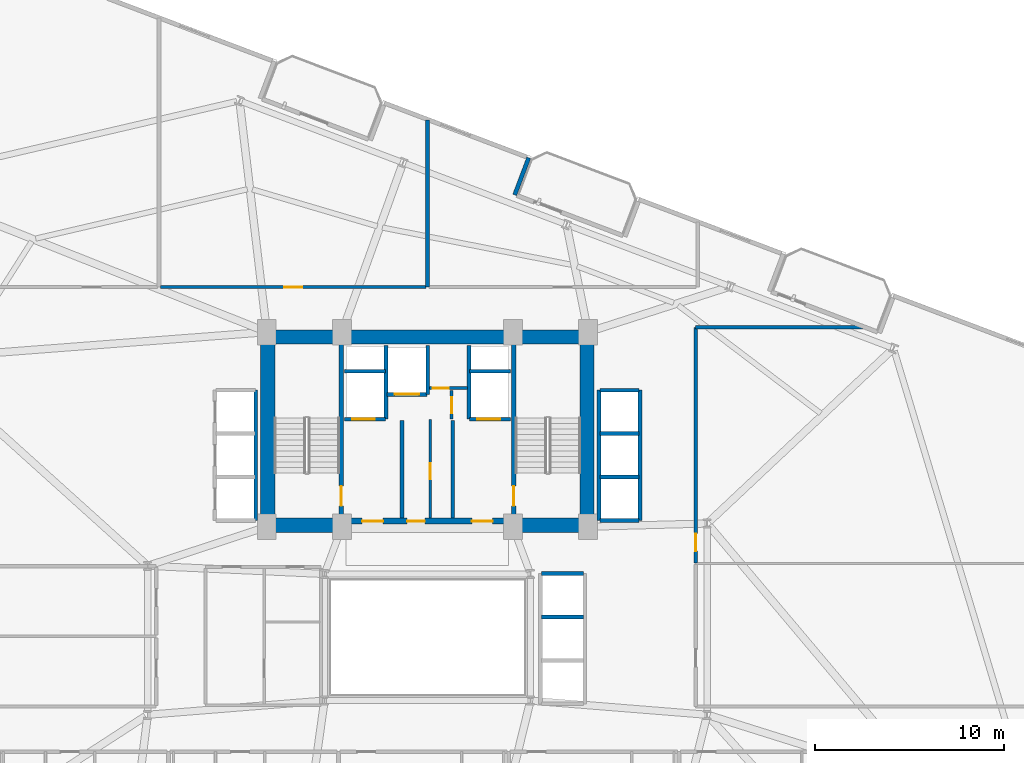
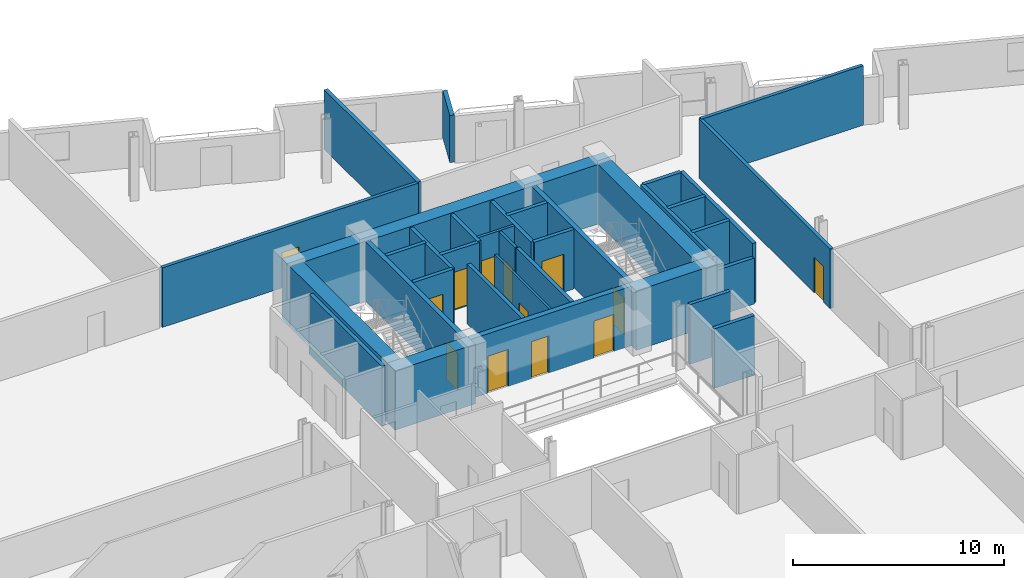
# One storey, part 20 of 25: 35 walls, 13 doors, 13 openings.
"""IFC4 building model written with IfcOpenShell, lengths in metres."""

from ifc_helpers import new_model, si_unit, direction, frame, frame_2d, origin, place, context, subcontext, project, spatial, rectangle, extrude, material, layer, layer_set, type_object, element, fill, save


model = new_model("IFC4")

# Units and contexts
model_context = context("Model", 3, precision=1e-05, world=origin(), true_north=direction((0.0, 1.0)))
body_context = subcontext(model_context, "Body", "Model", "MODEL_VIEW")
ifc_project = project(units=[si_unit("LENGTHUNIT", "METRE"), si_unit("AREAUNIT", "SQUARE_METRE"), si_unit("VOLUMEUNIT", "CUBIC_METRE"), si_unit("PLANEANGLEUNIT", "RADIAN"), si_unit("MASSUNIT", "GRAM", prefix="KILO")], contexts=[model_context])

# Site, building, storey
site_placement = place(None, origin())
site = spatial("IfcSite", under=ifc_project, at=site_placement, CompositionType="ELEMENT")
building_placement = place(site_placement, origin())
building = spatial("IfcBuilding", under=site, at=building_placement, Name="Varnelok Gate Tower", CompositionType="ELEMENT")
storey_placement = place(building_placement, frame((0.0, 0.0, 76.199951171875)))
storey = spatial("IfcBuildingStorey", under=building, at=storey_placement, Name="L18", CompositionType="ELEMENT", Elevation=76.199951171875)

# Wall
ifc_material_1 = material(Name="Concrete C45/55", Category="concrete")
ifc_layer_1 = layer(ifc_material_1, 0.219970703125)
ifc_layer_set_1 = layer_set([ifc_layer_1], Name="Concrete C45/55")
wall_type_1 = type_object("IfcWallType", Name="EW-BALC-220", PredefinedType="SOLIDWALL", material=ifc_layer_set_1)
wall_1_placement = place(storey_placement, frame((43.816650390625, 46.30615234375, 0.0), z_axis=(0.0, 0.0, 1.0), x_axis=(0.353988291547, 0.935249854022, 0.0)))
element("IfcWall", 1, at=wall_1_placement, inside=storey, type_object=wall_type_1, Name="L18 Perimeter Facade Closure Wall 34", PredefinedType="SOLIDWALL", context=body_context, shape_type="SweptSolid", body=[
    extrude(rectangle(XDim=2.10009765625, YDim=0.219970703125, at=frame_2d((1.050048828125, 0.0))), origin(), (0.0, 0.0, 1.0), 2.72998046875),
])

# Wall, opening, door
ifc_material_2 = material(Name="Gypsum Plasterboard Acoustic Partition", Category="gypsum")
ifc_layer_2 = layer(ifc_material_2, 0.179931640625)
ifc_layer_set_2 = layer_set([ifc_layer_2], Name="Gypsum Plasterboard Acoustic Partition")
wall_type_2 = type_object("IfcWallType", Name="PW-CORR-180", PredefinedType="PARTITIONING", material=ifc_layer_set_2)
wall_2_placement = place(storey_placement, frame((25.080078125, 41.429931640625, 0.0), z_axis=(0.0, 0.0, 1.0), x_axis=(1.0, 0.0, 0.0)))
wall_2 = element("IfcWall", 2, at=wall_2_placement, inside=storey, type_object=wall_type_2, Name="Interior Partition", PredefinedType="PARTITIONING", context=body_context, shape_type="SweptSolid", body=[
    extrude(rectangle(XDim=14.0400390625, YDim=0.179931640625, at=frame_2d((7.02001953125, 0.0))), origin(), (0.0, 0.0, 1.0), 3.449951171875),
])
opening_1_placement = place(wall_2_placement, frame((6.544921875, 0.0, 0.0)))
opening_1 = element("IfcOpeningElement", 3, at=opening_1_placement, cuts=wall_2, Name="Opening D-I2", PredefinedType="OPENING", context=body_context, shape_type="SweptSolid", body=[
    extrude(rectangle(XDim=0.949951171875, YDim=2.050048828125, at=frame_2d((0.47509765625, 1.02490234375))), frame((0.0, 0.099853515625, 0.0), z_axis=(0.0, -1.0, 0.0), x_axis=(1.0, 0.0, 0.0)), (0.0, 0.0, 1.0), 0.199951171875),
])
ifc_material_3 = material(Name="Engineered Hardwood Timber", Category="wood")
door_type_1 = type_object("IfcDoorType", Name="DR-INT-950", OperationType="NOTDEFINED", PredefinedType="DOOR", material=ifc_material_3)
door_1_placement = place(opening_1_placement, origin())
door_1 = element("IfcDoor", 4, at=door_1_placement, inside=storey, type_object=door_type_1, Name="L18 Hotel Fitness Studio Door", OperationType="SINGLE_SWING_LEFT", OverallHeight=2.050048828125, OverallWidth=0.949951171875, PredefinedType="DOOR", context=body_context, shape_type="SweptSolid", body=[
    extrude(rectangle(XDim=0.949951171875, YDim=2.050048828125, at=frame_2d((0.47509765625, 1.02490234375))), frame((0.0, 0.02490234375, 0.0), z_axis=(0.0, -1.0, 0.0), x_axis=(1.0, 0.0, 0.0)), (0.0, 0.0, 1.0), 0.050048828125),
])
fill(opening_1, door_1)

wall_3_placement = place(storey_placement, frame((53.389892578125, 26.840087890625, 0.0), z_axis=(0.0, 0.0, 1.0), x_axis=(0.0, 1.0, 0.0)))
wall_3 = element("IfcWall", 5, at=wall_3_placement, inside=storey, type_object=wall_type_2, Name="Interior Partition", PredefinedType="PARTITIONING", context=body_context, shape_type="SweptSolid", body=[
    extrude(rectangle(XDim=12.4599609375, YDim=0.179931640625, at=frame_2d((6.22998046875, 0.0))), origin(), (0.0, 0.0, 1.0), 3.449951171875),
])
opening_2_placement = place(wall_3_placement, frame((0.6181640625, 0.0, 0.0)))
opening_2 = element("IfcOpeningElement", 6, at=opening_2_placement, cuts=wall_3, Name="Opening D-I3", PredefinedType="OPENING", context=body_context, shape_type="SweptSolid", body=[
    extrude(rectangle(XDim=0.919921875, YDim=2.050048828125, at=frame_2d((0.4599609375, 1.02490234375))), frame((0.0, 0.099853515625, 0.0), z_axis=(0.0, -1.0, 0.0), x_axis=(1.0, 0.0, 0.0)), (0.0, 0.0, 1.0), 0.199951171875),
])
door_type_2 = type_object("IfcDoorType", Name="DR-INT-920", OperationType="NOTDEFINED", PredefinedType="DOOR", material=ifc_material_3)
door_2_placement = place(opening_2_placement, origin())
door_2 = element("IfcDoor", 7, at=door_2_placement, inside=storey, type_object=door_type_2, Name="L18 East Playroom Door", OperationType="SINGLE_SWING_LEFT", OverallHeight=2.050048828125, OverallWidth=0.919921875, PredefinedType="DOOR", context=body_context, shape_type="SweptSolid", body=[
    extrude(rectangle(XDim=0.919921875, YDim=2.050048828125, at=frame_2d((0.4599609375, 1.02490234375))), frame((0.0, 0.02490234375, 0.0), z_axis=(0.0, -1.0, 0.0), x_axis=(1.0, 0.0, 0.0)), (0.0, 0.0, 1.0), 0.050048828125),
])
fill(opening_2, door_2)

# Wall
wall_4_placement = place(storey_placement, frame((53.389892578125, 39.300048828125, 0.0), z_axis=(0.0, 0.0, 1.0), x_axis=(1.0, 0.0, 0.0)))
element("IfcWall", 8, at=wall_4_placement, inside=storey, type_object=wall_type_2, Name="Interior Partition", PredefinedType="PARTITIONING", context=body_context, shape_type="SweptSolid", body=[
    extrude(rectangle(XDim=8.87646484375, YDim=0.179931640625, at=frame_2d((4.438232421875, 0.0))), origin(), (0.0, 0.0, 1.0), 3.449951171875),
])

# Wall, opening, door
ifc_layer_3 = layer(ifc_material_2, 0.125)
ifc_layer_set_3 = layer_set([ifc_layer_3], Name="Gypsum Plasterboard Acoustic Partition")
wall_type_3 = type_object("IfcWallType", Name="PW-PART-125", PredefinedType="PARTITIONING", material=ifc_layer_set_3)
wall_5_placement = place(storey_placement, frame((39.35009765625, 29.199951171875, 0.0), z_axis=(0.0, 0.0, 1.0), x_axis=(0.0, 1.0, 0.0)))
wall_5 = element("IfcWall", 9, at=wall_5_placement, inside=storey, type_object=wall_type_3, Name="Interior Partition", PredefinedType="PARTITIONING", context=body_context, shape_type="SweptSolid", body=[
    extrude(rectangle(XDim=5.219970703125, YDim=0.125, at=frame_2d((2.60986328125, 0.0))), origin(), (0.0, 0.0, 1.0), 3.449951171875),
])
opening_3_placement = place(wall_5_placement, frame((2.050048828125, 0.0, 0.0)))
opening_3 = element("IfcOpeningElement", 10, at=opening_3_placement, cuts=wall_5, Name="Opening D-RS", PredefinedType="OPENING", context=body_context, shape_type="SweptSolid", body=[
    extrude(rectangle(XDim=0.85009765625, YDim=2.050048828125, at=frame_2d((0.425048828125, 1.02490234375))), frame((0.0, 0.072509765625, 0.0), z_axis=(0.0, -1.0, 0.0), x_axis=(1.0, 0.0, 0.0)), (0.0, 0.0, 1.0), 0.14501953125),
])
ifc_material_4 = material(Name="Galvanized Steel Grade S350GD", Category="steel")
door_type_3 = type_object("IfcDoorType", Name="DR-RISER-850", OperationType="NOTDEFINED", PredefinedType="DOOR", material=ifc_material_4)
door_3_placement = place(opening_3_placement, origin())
door_3 = element("IfcDoor", 11, at=door_3_placement, inside=storey, type_object=door_type_3, Name="L18 Housekeeping Linen Door", OperationType="SINGLE_SWING_RIGHT", OverallHeight=2.050048828125, OverallWidth=0.85009765625, PredefinedType="DOOR", context=body_context, shape_type="SweptSolid", body=[
    extrude(rectangle(XDim=0.85009765625, YDim=2.050048828125, at=frame_2d((0.425048828125, 1.02490234375))), frame((0.0, 0.02490234375, 0.0), z_axis=(0.0, -1.0, 0.0), x_axis=(1.0, 0.0, 0.0)), (0.0, 0.0, 1.0), 0.050048828125),
])
fill(opening_3, door_3)

ifc_layer_4 = layer(ifc_material_2, 0.14990234375)
ifc_layer_set_4 = layer_set([ifc_layer_4], Name="Gypsum Plasterboard Acoustic Partition")
wall_type_4 = type_object("IfcWallType", Name="PW-PART-150", PredefinedType="PARTITIONING", material=ifc_layer_set_4)
wall_6_placement = place(storey_placement, frame((39.300048828125, 36.080078125, 0.0), z_axis=(0.0, 0.0, 1.0), x_axis=(1.0, 0.0, 0.0)))
wall_6 = element("IfcWall", 12, at=wall_6_placement, inside=storey, type_object=wall_type_4, Name="L18 Electrical Closet South Wall", PredefinedType="PARTITIONING", context=body_context, shape_type="SweptSolid", body=[
    extrude(rectangle(XDim=2.02001953125, YDim=0.14990234375, at=frame_2d((1.010009765625, 0.0))), origin(), (0.0, 0.0, 1.0), 3.449951171875),
])
opening_4_placement = place(wall_6_placement, frame((0.179931640625, 0.0, 0.0)))
opening_4 = element("IfcOpeningElement", 13, at=opening_4_placement, cuts=wall_6, Name="Opening D-RS", PredefinedType="OPENING", context=body_context, shape_type="SweptSolid", body=[
    extrude(rectangle(XDim=0.85009765625, YDim=2.050048828125, at=frame_2d((0.425048828125, 1.02490234375))), frame((0.0, 0.0849609375, 0.0), z_axis=(0.0, -1.0, 0.0), x_axis=(1.0, 0.0, 0.0)), (0.0, 0.0, 1.0), 0.169921875),
])
door_4_placement = place(opening_4_placement, origin())
door_4 = element("IfcDoor", 14, at=door_4_placement, inside=storey, type_object=door_type_3, Name="L18 Electrical Closet Door", OperationType="SINGLE_SWING_RIGHT", OverallHeight=2.050048828125, OverallWidth=0.85009765625, PredefinedType="DOOR", context=body_context, shape_type="SweptSolid", body=[
    extrude(rectangle(XDim=0.85009765625, YDim=2.050048828125, at=frame_2d((0.425048828125, 1.02490234375))), frame((0.0, 0.02490234375, 0.0), z_axis=(0.0, -1.0, 0.0), x_axis=(1.0, 0.0, 0.0)), (0.0, 0.0, 1.0), 0.050048828125),
])
fill(opening_4, door_4)

wall_7_placement = place(storey_placement, frame((40.47998046875, 34.43994140625, 0.0), z_axis=(0.0, 0.0, 1.0), x_axis=(0.0, 1.0, 0.0)))
wall_7 = element("IfcWall", 15, at=wall_7_placement, inside=storey, type_object=wall_type_4, Name="L18 Telecoms Closet West Wall", PredefinedType="PARTITIONING", context=body_context, shape_type="SweptSolid", body=[
    extrude(rectangle(XDim=1.52001953125, YDim=0.14990234375, at=frame_2d((0.760009765625, 0.0))), origin(), (0.0, 0.0, 1.0), 3.449951171875),
])
opening_5_placement = place(wall_7_placement, frame((0.320068359375, 0.0, 0.0)))
opening_5 = element("IfcOpeningElement", 16, at=opening_5_placement, cuts=wall_7, Name="Opening D-RS", PredefinedType="OPENING", context=body_context, shape_type="SweptSolid", body=[
    extrude(rectangle(XDim=0.85009765625, YDim=2.050048828125, at=frame_2d((0.425048828125, 1.02490234375))), frame((0.0, 0.0849609375, 0.0), z_axis=(0.0, -1.0, 0.0), x_axis=(1.0, 0.0, 0.0)), (0.0, 0.0, 1.0), 0.169921875),
])
door_5_placement = place(opening_5_placement, origin())
door_5 = element("IfcDoor", 17, at=door_5_placement, inside=storey, type_object=door_type_3, Name="L18 Telecoms Closet Door", OperationType="SINGLE_SWING_LEFT", OverallHeight=2.050048828125, OverallWidth=0.85009765625, PredefinedType="DOOR", context=body_context, shape_type="SweptSolid", body=[
    extrude(rectangle(XDim=0.85009765625, YDim=2.050048828125, at=frame_2d((0.425048828125, 1.02490234375))), frame((0.0, 0.02490234375, 0.0), z_axis=(0.0, -1.0, 0.0), x_axis=(1.0, 0.0, 0.0)), (0.0, 0.0, 1.0), 0.050048828125),
])
fill(opening_5, door_5)

# Walls
ifc_layer_5 = layer(ifc_material_2, 0.205078125)
ifc_layer_set_5 = layer_set([ifc_layer_5], Name="Gypsum Plasterboard Acoustic Partition")
wall_type_5 = type_object("IfcWallType", Name="PW-PARTY-200", PredefinedType="PARTITIONING", material=ifc_layer_set_5)
wall_8_placement = place(storey_placement, frame((39.199951171875, 41.429931640625, 0.0), z_axis=(0.0, 0.0, 1.0), x_axis=(0.0, 1.0, 0.0)))
element("IfcWall", 18, at=wall_8_placement, inside=storey, type_object=wall_type_5, Name="L18 North Party Wall 2", PredefinedType="PARTITIONING", context=body_context, shape_type="SweptSolid", body=[
    extrude(rectangle(XDim=8.84814453125, YDim=0.205078125, at=frame_2d((4.424072265625, 0.0))), origin(), (0.0, 0.0, 1.0), 3.449951171875),
])
ifc_material_5 = material(Name="Concrete C35/45", Category="concrete")
ifc_layer_6 = layer(ifc_material_5, 0.199951171875)
ifc_layer_set_6 = layer_set([ifc_layer_6], Name="Concrete C35/45")
wall_type_6 = type_object("IfcWallType", Name="PW-SHAFT-200", PredefinedType="PARTITIONING", material=ifc_layer_set_6)
for number, where, z_axis, x_axis, name in (
    (19, (37.860107421875, 29.199951171875, 0.0), (0.0, 0.0, 1.0), (0.0, 1.0, 0.0), "L18 West FF Lobby Rated Wall"),
    (20, (40.5400390625, 29.199951171875, 0.0), (0.0, 0.0, 1.0), (0.0, 1.0, 0.0), "L18 East FF Lobby Rated Wall"),
):
    element("IfcWall", number, at=place(storey_placement, frame(where, z_axis=z_axis, x_axis=x_axis)), inside=storey, type_object=wall_type_6, Name=name, PredefinedType="PARTITIONING", context=body_context, shape_type="SweptSolid", body=[
        extrude(rectangle(XDim=5.179931640625, YDim=0.199951171875, at=frame_2d((2.58984375, 0.0))), origin(), (0.0, 0.0, 1.0), 3.449951171875),
    ])

# Wall, opening, door
wall_9_placement = place(storey_placement, frame((34.800048828125, 34.43994140625, 0.0), z_axis=(0.0, 0.0, 1.0), x_axis=(1.0, 0.0, 0.0)))
wall_9 = element("IfcWall", 21, at=wall_9_placement, inside=storey, type_object=wall_type_6, Name="L18 FF1 Shaft Front Wall", PredefinedType="PARTITIONING", context=body_context, shape_type="SweptSolid", body=[
    extrude(rectangle(XDim=2.179931640625, YDim=0.199951171875, at=frame_2d((1.08984375, 0.0))), origin(), (0.0, 0.0, 1.0), 3.449951171875),
])
opening_6_placement = place(wall_9_placement, frame((0.419921875, 0.0, 0.0)))
opening_6 = element("IfcOpeningElement", 22, at=opening_6_placement, cuts=wall_9, Name="Opening LD-FF1", PredefinedType="OPENING", context=body_context, shape_type="SweptSolid", body=[
    extrude(rectangle(XDim=1.199951171875, YDim=2.199951171875, at=frame_2d((0.60009765625, 1.10009765625))), frame((0.0, 0.10986328125, 0.0), z_axis=(0.0, -1.0, 0.0), x_axis=(1.0, 0.0, 0.0)), (0.0, 0.0, 1.0), 0.219970703125),
])
door_type_4 = type_object("IfcDoorType", Name="DR-LIFT-FF1200", OperationType="SLIDING_TO_LEFT", PredefinedType="DOOR", material=ifc_material_4)
door_6_placement = place(opening_6_placement, origin())
door_6 = element("IfcDoor", 23, at=door_6_placement, inside=storey, type_object=door_type_4, Name="L18 Firefighting Lift Landing Door LD-FF1", OperationType="SLIDING_TO_LEFT", OverallHeight=2.199951171875, OverallWidth=1.199951171875, PredefinedType="DOOR", context=body_context, shape_type="SweptSolid", body=[
    extrude(rectangle(XDim=1.199951171875, YDim=2.199951171875, at=frame_2d((0.60009765625, 1.10009765625))), frame((0.0, 0.02490234375, 0.0), z_axis=(0.0, -1.0, 0.0), x_axis=(1.0, 0.0, 0.0)), (0.0, 0.0, 1.0), 0.050048828125),
])
fill(opening_6, door_6)

# Walls
wall_10_placement = place(storey_placement, frame((34.800048828125, 36.97998046875, 0.0), z_axis=(0.0, 0.0, 1.0), x_axis=(1.0, 0.0, 0.0)))
element("IfcWall", 24, at=wall_10_placement, inside=storey, type_object=wall_type_6, Name="L18 FF1 Shaft North Wall", PredefinedType="PARTITIONING", context=body_context, shape_type="SweptSolid", body=[
    extrude(rectangle(XDim=2.179931640625, YDim=0.199951171875, at=frame_2d((1.08984375, 0.0))), origin(), (0.0, 0.0, 1.0), 3.449951171875),
])
wall_11_placement = place(storey_placement, frame((37.0, 34.43994140625, 0.0), z_axis=(0.0, 0.0, 1.0), x_axis=(0.0, 1.0, 0.0)))
element("IfcWall", 25, at=wall_11_placement, inside=storey, type_object=wall_type_6, Name="L18 FF1 Shaft Side Wall", PredefinedType="PARTITIONING", context=body_context, shape_type="SweptSolid", body=[
    extrude(rectangle(XDim=3.900146484375, YDim=0.199951171875, at=frame_2d((1.9501953125, 0.0))), origin(), (0.0, 0.0, 1.0), 3.449951171875),
])

# Wall, opening, door
wall_12_placement = place(storey_placement, frame((41.419921875, 34.43994140625, 0.0), z_axis=(0.0, 0.0, 1.0), x_axis=(1.0, 0.0, 0.0)))
wall_12 = element("IfcWall", 26, at=wall_12_placement, inside=storey, type_object=wall_type_6, Name="L18 FF2 Shaft Front Wall", PredefinedType="PARTITIONING", context=body_context, shape_type="SweptSolid", body=[
    extrude(rectangle(XDim=2.18017578125, YDim=0.199951171875, at=frame_2d((1.090087890625, 0.0))), origin(), (0.0, 0.0, 1.0), 3.449951171875),
])
opening_7_placement = place(wall_12_placement, frame((0.419921875, 0.0, 0.0)))
opening_7 = element("IfcOpeningElement", 27, at=opening_7_placement, cuts=wall_12, Name="Opening LD-FF2", PredefinedType="OPENING", context=body_context, shape_type="SweptSolid", body=[
    extrude(rectangle(XDim=1.199951171875, YDim=2.199951171875, at=frame_2d((0.60009765625, 1.10009765625))), frame((0.0, 0.10986328125, 0.0), z_axis=(0.0, -1.0, 0.0), x_axis=(1.0, 0.0, 0.0)), (0.0, 0.0, 1.0), 0.219970703125),
])
door_7_placement = place(opening_7_placement, origin())
door_7 = element("IfcDoor", 28, at=door_7_placement, inside=storey, type_object=door_type_4, Name="L18 Firefighting Lift Landing Door LD-FF2", OperationType="SLIDING_TO_LEFT", OverallHeight=2.199951171875, OverallWidth=1.199951171875, PredefinedType="DOOR", context=body_context, shape_type="SweptSolid", body=[
    extrude(rectangle(XDim=1.199951171875, YDim=2.199951171875, at=frame_2d((0.60009765625, 1.10009765625))), frame((0.0, 0.02490234375, 0.0), z_axis=(0.0, -1.0, 0.0), x_axis=(1.0, 0.0, 0.0)), (0.0, 0.0, 1.0), 0.050048828125),
])
fill(opening_7, door_7)

# Walls
wall_13_placement = place(storey_placement, frame((41.419921875, 36.97998046875, 0.0), z_axis=(0.0, 0.0, 1.0), x_axis=(1.0, 0.0, 0.0)))
element("IfcWall", 29, at=wall_13_placement, inside=storey, type_object=wall_type_6, Name="L18 FF2 Shaft North Wall", PredefinedType="PARTITIONING", context=body_context, shape_type="SweptSolid", body=[
    extrude(rectangle(XDim=2.18017578125, YDim=0.199951171875, at=frame_2d((1.090087890625, 0.0))), origin(), (0.0, 0.0, 1.0), 3.449951171875),
])
wall_14_placement = place(storey_placement, frame((41.39990234375, 34.43994140625, 0.0), z_axis=(0.0, 0.0, 1.0), x_axis=(0.0, 1.0, 0.0)))
element("IfcWall", 30, at=wall_14_placement, inside=storey, type_object=wall_type_6, Name="L18 FF2 Shaft Side Wall", PredefinedType="PARTITIONING", context=body_context, shape_type="SweptSolid", body=[
    extrude(rectangle(XDim=3.900146484375, YDim=0.199951171875, at=frame_2d((1.9501953125, 0.0))), origin(), (0.0, 0.0, 1.0), 3.449951171875),
])

# Wall, opening, door
wall_15_placement = place(storey_placement, frame((37.06005859375, 35.75, 0.0), z_axis=(0.0, 0.0, 1.0), x_axis=(1.0, 0.0, 0.0)))
wall_15 = element("IfcWall", 31, at=wall_15_placement, inside=storey, type_object=wall_type_6, Name="L18 SV1 Shaft Front Wall", PredefinedType="PARTITIONING", context=body_context, shape_type="SweptSolid", body=[
    extrude(rectangle(XDim=2.119873046875, YDim=0.199951171875, at=frame_2d((1.06005859375, 0.0))), origin(), (0.0, 0.0, 1.0), 3.449951171875),
])
opening_8_placement = place(wall_15_placement, frame((0.39990234375, 0.0, 0.0)))
opening_8 = element("IfcOpeningElement", 32, at=opening_8_placement, cuts=wall_15, Name="Opening LD-SV1", PredefinedType="OPENING", context=body_context, shape_type="SweptSolid", body=[
    extrude(rectangle(XDim=1.300048828125, YDim=2.199951171875, at=frame_2d((0.64990234375, 1.10009765625))), frame((0.0, 0.10986328125, 0.0), z_axis=(0.0, -1.0, 0.0), x_axis=(1.0, 0.0, 0.0)), (0.0, 0.0, 1.0), 0.219970703125),
])
door_type_5 = type_object("IfcDoorType", Name="DR-LIFT-SV1300", OperationType="SLIDING_TO_LEFT", PredefinedType="DOOR", material=ifc_material_4)
door_8_placement = place(opening_8_placement, origin())
door_8 = element("IfcDoor", 33, at=door_8_placement, inside=storey, type_object=door_type_5, Name="L18 Service Lift Landing Door LD-SV1", OperationType="SLIDING_TO_LEFT", OverallHeight=2.199951171875, OverallWidth=1.300048828125, PredefinedType="DOOR", context=body_context, shape_type="SweptSolid", body=[
    extrude(rectangle(XDim=1.300048828125, YDim=2.199951171875, at=frame_2d((0.64990234375, 1.10009765625))), frame((0.0, 0.02490234375, 0.0), z_axis=(0.0, -1.0, 0.0), x_axis=(1.0, 0.0, 0.0)), (0.0, 0.0, 1.0), 0.050048828125),
])
fill(opening_8, door_8)

# Walls
wall_16_placement = place(storey_placement, frame((39.219970703125, 35.75, 0.0), z_axis=(0.0, 0.0, 1.0), x_axis=(0.0, 1.0, 0.0)))
element("IfcWall", 34, at=wall_16_placement, inside=storey, type_object=wall_type_6, Name="L18 SV1 Shaft East Wall", PredefinedType="PARTITIONING", context=body_context, shape_type="SweptSolid", body=[
    extrude(rectangle(XDim=2.590087890625, YDim=0.199951171875, at=frame_2d((1.294921875, 0.0))), origin(), (0.0, 0.0, 1.0), 3.449951171875),
])
wall_17_placement = place(storey_placement, frame((30.1201171875, 29.080078125, 0.0), z_axis=(0.0, 0.0, 1.0), x_axis=(0.0, 1.0, 0.0)))
element("IfcWall", 35, at=wall_17_placement, inside=storey, type_object=wall_type_6, Name="L18 PL Bank Back Wall", PredefinedType="PARTITIONING", context=body_context, shape_type="SweptSolid", body=[
    extrude(rectangle(XDim=6.889892578125, YDim=0.199951171875, at=frame_2d((3.44482421875, 0.0))), origin(), (0.0, 0.0, 1.0), 3.449951171875),
])
for number, where, z_axis, x_axis, name in (
    (36, (48.320068359375, 31.375, 0.0), (0.0, 0.0, 1.0), (1.0, 0.0, 0.0), "L18 PM1 Divider"),
    (37, (48.320068359375, 33.675048828125, 0.0), (0.0, 0.0, 1.0), (1.0, 0.0, 0.0), "L18 PM2 Divider"),
):
    element("IfcWall", number, at=place(storey_placement, frame(where, z_axis=z_axis, x_axis=x_axis)), inside=storey, type_object=wall_type_6, Name=name, PredefinedType="PARTITIONING", context=body_context, shape_type="SweptSolid", body=[
        extrude(rectangle(XDim=2.059814453125, YDim=0.199951171875, at=frame_2d((1.02978515625, 0.0))), origin(), (0.0, 0.0, 1.0), 3.449951171875),
    ])
wall_18_placement = place(storey_placement, frame((48.320068359375, 29.080078125, 0.0), z_axis=(0.0, 0.0, 1.0), x_axis=(1.0, 0.0, 0.0)))
element("IfcWall", 38, at=wall_18_placement, inside=storey, type_object=wall_type_6, Name="L18 PM Bank South Wall", PredefinedType="PARTITIONING", context=body_context, shape_type="SweptSolid", body=[
    extrude(rectangle(XDim=2.059814453125, YDim=0.199951171875, at=frame_2d((1.02978515625, 0.0))), origin(), (0.0, 0.0, 1.0), 2.662109375),
])
wall_19_placement = place(storey_placement, frame((48.320068359375, 35.969970703125, 0.0), z_axis=(0.0, 0.0, 1.0), x_axis=(1.0, 0.0, 0.0)))
element("IfcWall", 39, at=wall_19_placement, inside=storey, type_object=wall_type_6, Name="L18 PM Bank North Wall", PredefinedType="PARTITIONING", context=body_context, shape_type="SweptSolid", body=[
    extrude(rectangle(XDim=2.059814453125, YDim=0.199951171875, at=frame_2d((1.02978515625, 0.0))), origin(), (0.0, 0.0, 1.0), 3.449951171875),
])
for number, where, z_axis, x_axis, name in (
    (40, (48.280029296875, 29.080078125, 0.0), (0.0, 0.0, 1.0), (0.0, 1.0, 0.0), "L18 PM Bank Back Wall"),
    (41, (50.43994140625, 29.080078125, 0.0), (0.0, 0.0, 1.0), (0.0, 1.0, 0.0), "L18 PM Bank Front Wall"),
):
    element("IfcWall", number, at=place(storey_placement, frame(where, z_axis=z_axis, x_axis=x_axis)), inside=storey, type_object=wall_type_6, Name=name, PredefinedType="PARTITIONING", context=body_context, shape_type="SweptSolid", body=[
        extrude(rectangle(XDim=6.889892578125, YDim=0.199951171875, at=frame_2d((3.44482421875, 0.0))), origin(), (0.0, 0.0, 1.0), 3.449951171875),
    ])
for number, where, z_axis, x_axis, name in (
    (42, (45.239990234375, 23.97509765625, 0.0), (0.0, 0.0, 1.0), (1.0, 0.0, 0.0), "L18 PH2 Divider"),
    (43, (45.239990234375, 26.280029296875, 0.0), (0.0, 0.0, 1.0), (1.0, 0.0, 0.0), "L18 PH Bank North Wall"),
):
    element("IfcWall", number, at=place(storey_placement, frame(where, z_axis=z_axis, x_axis=x_axis)), inside=storey, type_object=wall_type_6, Name=name, PredefinedType="PARTITIONING", context=body_context, shape_type="SweptSolid", body=[
        extrude(rectangle(XDim=2.219970703125, YDim=0.199951171875, at=frame_2d((1.10986328125, 0.0))), origin(), (0.0, 0.0, 1.0), 3.449951171875),
    ])
ifc_material_6 = material(Name="Concrete C70/85", Category="concrete")
ifc_layer_7 = layer(ifc_material_6, 0.75)
ifc_layer_set_7 = layer_set([ifc_layer_7], Name="Concrete C70/85")
wall_type_7 = type_object("IfcWallType", Name="SW-CORE-750", PredefinedType="SHEAR", material=ifc_layer_set_7)
wall_20_placement = place(storey_placement, frame((30.3798828125, 38.794921875, 0.0), z_axis=(0.0, 0.0, 1.0), x_axis=(1.0, 0.0, 0.0)))
element("IfcWall", 44, at=wall_20_placement, inside=storey, type_object=wall_type_7, Name="L18 Rear Core North Shear Wall", PredefinedType="SHEAR", context=body_context, shape_type="SweptSolid", body=[
    extrude(rectangle(XDim=17.64013671875, YDim=0.75, at=frame_2d((8.820068359375, 0.0))), origin(), (0.0, 0.0, 1.0), 3.449951171875),
])
for number, where, z_axis, x_axis, name in (
    (45, (30.7548828125, 29.199951171875, 0.0), (0.0, 0.0, 1.0), (0.0, 1.0, 0.0), "L18 Rear Core West Shear Wall"),
    (46, (47.64501953125, 29.199951171875, 0.0), (0.0, 0.0, 1.0), (0.0, 1.0, 0.0), "L18 Rear Core East Shear Wall"),
):
    element("IfcWall", number, at=place(storey_placement, frame(where, z_axis=z_axis, x_axis=x_axis)), inside=storey, type_object=wall_type_7, Name=name, PredefinedType="SHEAR", context=body_context, shape_type="SweptSolid", body=[
        extrude(rectangle(XDim=9.219970703125, YDim=0.75, at=frame_2d((4.60986328125, 0.0))), origin(), (0.0, 0.0, 1.0), 3.449951171875),
    ])
wall_21_placement = place(storey_placement, frame((30.3798828125, 28.824951171875, 0.0), z_axis=(0.0, 0.0, 1.0), x_axis=(1.0, 0.0, 0.0)))
element("IfcWall", 47, at=wall_21_placement, inside=storey, type_object=wall_type_7, Name="L18 Rear Core South-West Shear Wall", PredefinedType="SHEAR", context=body_context, shape_type="SweptSolid", body=[
    extrude(rectangle(XDim=4.420166015625, YDim=0.75, at=frame_2d((2.2099609375, 0.0))), origin(), (0.0, 0.0, 1.0), 3.449951171875),
])
wall_22_placement = place(storey_placement, frame((43.60009765625, 28.824951171875, 0.0), z_axis=(0.0, 0.0, 1.0), x_axis=(1.0, 0.0, 0.0)))
element("IfcWall", 48, at=wall_22_placement, inside=storey, type_object=wall_type_7, Name="L18 Rear Core South-East Shear Wall", PredefinedType="SHEAR", context=body_context, shape_type="SweptSolid", body=[
    extrude(rectangle(XDim=4.419921875, YDim=0.75, at=frame_2d((2.2099609375, 0.0))), origin(), (0.0, 0.0, 1.0), 3.449951171875),
])

# Wall, opening, door
ifc_material_7 = material(Name="Concrete C60/75", Category="concrete")
ifc_layer_8 = layer(ifc_material_7, 0.25)
ifc_layer_set_8 = layer_set([ifc_layer_8], Name="Concrete C60/75")
wall_type_8 = type_object("IfcWallType", Name="SW-SHAFT-250", PredefinedType="SHEAR", material=ifc_layer_set_8)
wall_23_placement = place(storey_placement, frame((34.639892578125, 29.199951171875, 0.0), z_axis=(0.0, 0.0, 1.0), x_axis=(0.0, 1.0, 0.0)))
wall_23 = element("IfcWall", 49, at=wall_23_placement, inside=storey, type_object=wall_type_8, Name="L18 Stair ST-1 East Shear Wall", PredefinedType="SHEAR", context=body_context, shape_type="SweptSolid", body=[
    extrude(rectangle(XDim=9.219970703125, YDim=0.25, at=frame_2d((4.60986328125, 0.0))), origin(), (0.0, 0.0, 1.0), 3.449951171875),
])
opening_9_placement = place(wall_23_placement, frame((0.64990234375, 0.0, 0.0)))
opening_9 = element("IfcOpeningElement", 50, at=opening_9_placement, cuts=wall_23, Name="Opening D-ST", PredefinedType="OPENING", context=body_context, shape_type="SweptSolid", body=[
    extrude(rectangle(XDim=1.050048828125, YDim=2.14990234375, at=frame_2d((0.52490234375, 1.074951171875))), frame((0.0, 0.135009765625, 0.0), z_axis=(0.0, -1.0, 0.0), x_axis=(1.0, 0.0, 0.0)), (0.0, 0.0, 1.0), 0.27001953125),
])
door_type_6 = type_object("IfcDoorType", Name="DR-STAIR-1050", OperationType="NOTDEFINED", PredefinedType="DOOR", material=ifc_material_4)
door_9_placement = place(opening_9_placement, origin())
door_9 = element("IfcDoor", 51, at=door_9_placement, inside=storey, type_object=door_type_6, Name="L18 Exit Stair ST-1 Fire Door", OperationType="SINGLE_SWING_LEFT", OverallHeight=2.14990234375, OverallWidth=1.050048828125, PredefinedType="DOOR", context=body_context, shape_type="SweptSolid", body=[
    extrude(rectangle(XDim=1.050048828125, YDim=2.14990234375, at=frame_2d((0.52490234375, 1.074951171875))), frame((0.0, 0.02490234375, 0.0), z_axis=(0.0, -1.0, 0.0), x_axis=(1.0, 0.0, 0.0)), (0.0, 0.0, 1.0), 0.050048828125),
])
fill(opening_9, door_9)

wall_24_placement = place(storey_placement, frame((43.760009765625, 29.199951171875, 0.0), z_axis=(0.0, 0.0, 1.0), x_axis=(0.0, 1.0, 0.0)))
wall_24 = element("IfcWall", 52, at=wall_24_placement, inside=storey, type_object=wall_type_8, Name="L18 Stair ST-2 West Shear Wall", PredefinedType="SHEAR", context=body_context, shape_type="SweptSolid", body=[
    extrude(rectangle(XDim=9.219970703125, YDim=0.25, at=frame_2d((4.60986328125, 0.0))), origin(), (0.0, 0.0, 1.0), 3.449951171875),
])
opening_10_placement = place(wall_24_placement, frame((0.64990234375, 0.0, 0.0)))
opening_10 = element("IfcOpeningElement", 53, at=opening_10_placement, cuts=wall_24, Name="Opening D-ST", PredefinedType="OPENING", context=body_context, shape_type="SweptSolid", body=[
    extrude(rectangle(XDim=1.050048828125, YDim=2.14990234375, at=frame_2d((0.52490234375, 1.074951171875))), frame((0.0, 0.135009765625, 0.0), z_axis=(0.0, -1.0, 0.0), x_axis=(1.0, 0.0, 0.0)), (0.0, 0.0, 1.0), 0.27001953125),
])
door_10_placement = place(opening_10_placement, origin())
door_10 = element("IfcDoor", 54, at=door_10_placement, inside=storey, type_object=door_type_6, Name="L18 Exit Stair ST-2 Fire Door", OperationType="SINGLE_SWING_RIGHT", OverallHeight=2.14990234375, OverallWidth=1.050048828125, PredefinedType="DOOR", context=body_context, shape_type="SweptSolid", body=[
    extrude(rectangle(XDim=1.050048828125, YDim=2.14990234375, at=frame_2d((0.52490234375, 1.074951171875))), frame((0.0, 0.02490234375, 0.0), z_axis=(0.0, -1.0, 0.0), x_axis=(1.0, 0.0, 0.0)), (0.0, 0.0, 1.0), 0.050048828125),
])
fill(opening_10, door_10)

# Wall, openings, doors
ifc_layer_9 = layer(ifc_material_7, 0.300048828125)
ifc_layer_set_9 = layer_set([ifc_layer_9], Name="Concrete C60/75")
wall_type_9 = type_object("IfcWallType", Name="SW-SHAFT-300", PredefinedType="SHEAR", material=ifc_layer_set_9)
wall_25_placement = place(storey_placement, frame((34.800048828125, 29.050048828125, 0.0), z_axis=(0.0, 0.0, 1.0), x_axis=(1.0, 0.0, 0.0)))
wall_25 = element("IfcWall", 55, at=wall_25_placement, inside=storey, type_object=wall_type_9, Name="L18 Rear Core Central Lobby Shear Wall", PredefinedType="SHEAR", context=body_context, shape_type="SweptSolid", body=[
    extrude(rectangle(XDim=8.800048828125, YDim=0.300048828125, at=frame_2d((4.39990234375, 0.0))), origin(), (0.0, 0.0, 1.0), 3.449951171875),
])
opening_11_placement = place(wall_25_placement, frame((0.949951171875, 0.0, 0.0)))
opening_11 = element("IfcOpeningElement", 56, at=opening_11_placement, cuts=wall_25, Name="Opening D-FF", PredefinedType="OPENING", context=body_context, shape_type="SweptSolid", body=[
    extrude(rectangle(XDim=1.10009765625, YDim=2.14990234375, at=frame_2d((0.550048828125, 1.074951171875))), frame((0.0, 0.159912109375, 0.0), z_axis=(0.0, -1.0, 0.0), x_axis=(1.0, 0.0, 0.0)), (0.0, 0.0, 1.0), 0.320068359375),
])
opening_12_placement = place(wall_25_placement, frame((6.75, 0.0, 0.0)))
opening_12 = element("IfcOpeningElement", 57, at=opening_12_placement, cuts=wall_25, Name="Opening D-FF", PredefinedType="OPENING", context=body_context, shape_type="SweptSolid", body=[
    extrude(rectangle(XDim=1.10009765625, YDim=2.14990234375, at=frame_2d((0.550048828125, 1.074951171875))), frame((0.0, 0.159912109375, 0.0), z_axis=(0.0, -1.0, 0.0), x_axis=(1.0, 0.0, 0.0)), (0.0, 0.0, 1.0), 0.320068359375),
])
opening_13_placement = place(wall_25_placement, frame((3.320068359375, 0.0, 0.0)))
opening_13 = element("IfcOpeningElement", 58, at=opening_13_placement, cuts=wall_25, Name="Opening D-CR", PredefinedType="OPENING", context=body_context, shape_type="SweptSolid", body=[
    extrude(rectangle(XDim=0.949951171875, YDim=2.14990234375, at=frame_2d((0.47509765625, 1.074951171875))), frame((0.0, 0.159912109375, 0.0), z_axis=(0.0, -1.0, 0.0), x_axis=(1.0, 0.0, 0.0)), (0.0, 0.0, 1.0), 0.320068359375),
])
door_type_7 = type_object("IfcDoorType", Name="DR-CORR-950", OperationType="NOTDEFINED", PredefinedType="DOOR", material=ifc_material_4)
door_11_placement = place(opening_13_placement, origin())
door_11 = element("IfcDoor", 59, at=door_11_placement, inside=storey, type_object=door_type_7, Name="L18 Core Service Passage Door", OperationType="SINGLE_SWING_LEFT", OverallHeight=2.14990234375, OverallWidth=0.949951171875, PredefinedType="DOOR", context=body_context, shape_type="SweptSolid", body=[
    extrude(rectangle(XDim=0.949951171875, YDim=2.14990234375, at=frame_2d((0.47509765625, 1.074951171875))), frame((0.0, 0.02490234375, 0.0), z_axis=(0.0, -1.0, 0.0), x_axis=(1.0, 0.0, 0.0)), (0.0, 0.0, 1.0), 0.050048828125),
])
fill(opening_13, door_11)
door_type_8 = type_object("IfcDoorType", Name="DR-FFLOB-1100", OperationType="NOTDEFINED", PredefinedType="DOOR", material=ifc_material_4)
door_12_placement = place(opening_11_placement, origin())
door_12 = element("IfcDoor", 60, at=door_12_placement, inside=storey, type_object=door_type_8, Name="L18 West Firefighting Lobby Fire Door", OperationType="SINGLE_SWING_RIGHT", OverallHeight=2.14990234375, OverallWidth=1.10009765625, PredefinedType="DOOR", context=body_context, shape_type="SweptSolid", body=[
    extrude(rectangle(XDim=1.10009765625, YDim=2.14990234375, at=frame_2d((0.550048828125, 1.074951171875))), frame((0.0, 0.02490234375, 0.0), z_axis=(0.0, -1.0, 0.0), x_axis=(1.0, 0.0, 0.0)), (0.0, 0.0, 1.0), 0.050048828125),
])
fill(opening_11, door_12)
door_13_placement = place(opening_12_placement, origin())
door_13 = element("IfcDoor", 61, at=door_13_placement, inside=storey, type_object=door_type_8, Name="L18 East Firefighting Lobby Fire Door", OperationType="SINGLE_SWING_LEFT", OverallHeight=2.14990234375, OverallWidth=1.10009765625, PredefinedType="DOOR", context=body_context, shape_type="SweptSolid", body=[
    extrude(rectangle(XDim=1.10009765625, YDim=2.14990234375, at=frame_2d((0.550048828125, 1.074951171875))), frame((0.0, 0.02490234375, 0.0), z_axis=(0.0, -1.0, 0.0), x_axis=(1.0, 0.0, 0.0)), (0.0, 0.0, 1.0), 0.050048828125),
])
fill(opening_12, door_13)

save(model, "model.ifc")
